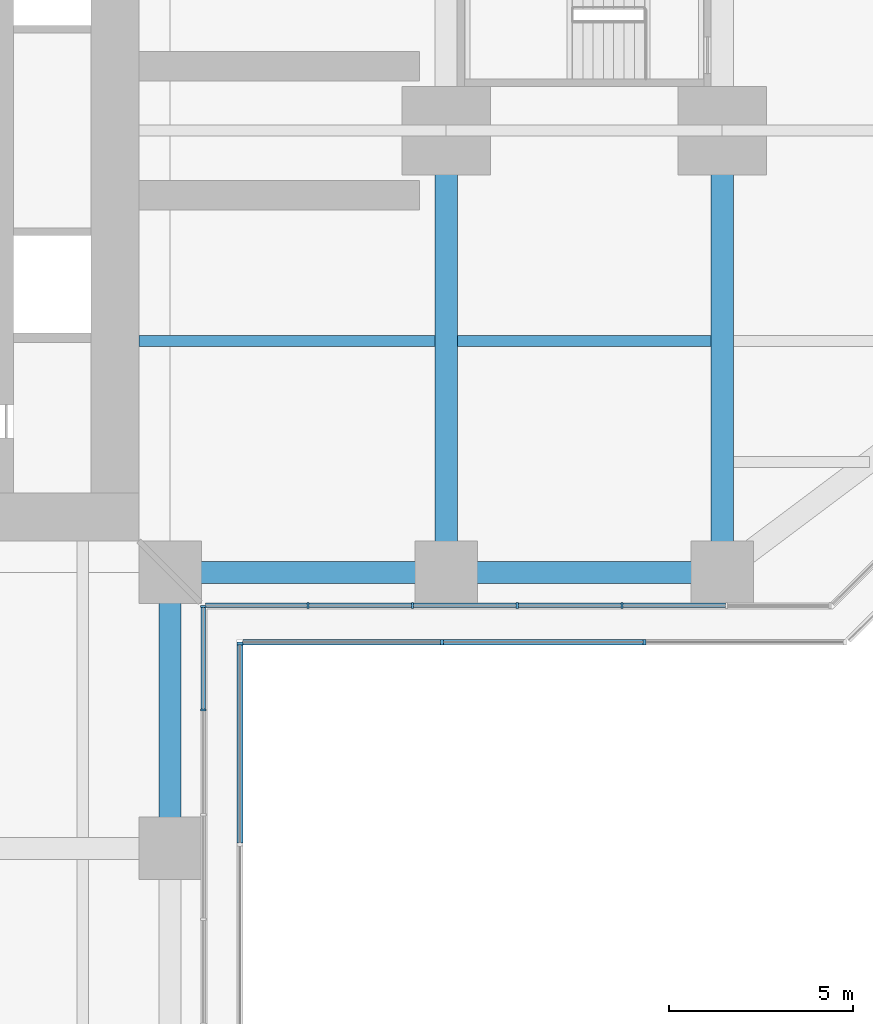
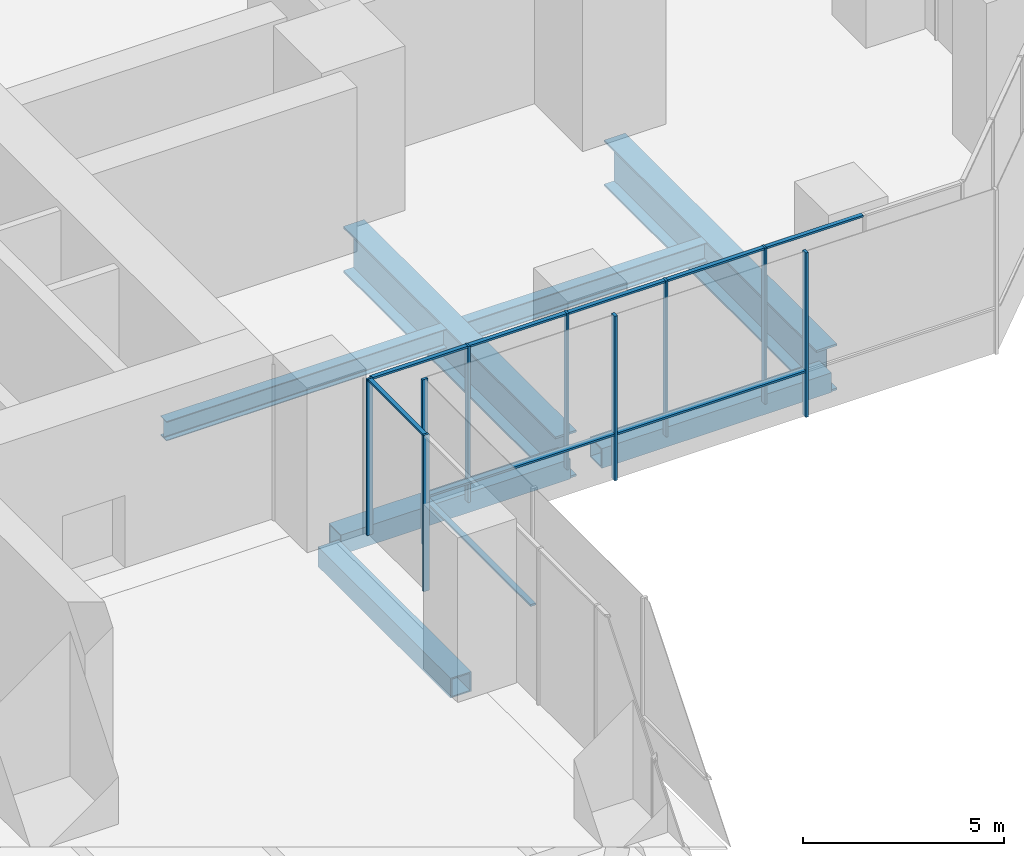
# One storey, part 6 of 23: 18 members, 7 beams, 4 elements without a shape of their own.
"""IFC4 building model written with IfcOpenShell, lengths in metres."""

from ifc_helpers import new_model, si_unit, direction, frame, origin, origin_2d, place, context, subcontext, project, spatial, rectangle, hollow_rectangle, i_section, extrude, material, material_profile, profile_set, type_object, element, aggregate, save


model = new_model("IFC4")

# Units and contexts
model_context = context("Model", 3, precision=1e-05, world=origin(), true_north=direction((0.0, 1.0)))
body_context = subcontext(model_context, "Body", "Model", "MODEL_VIEW")
ifc_project = project(units=[si_unit("LENGTHUNIT", "METRE"), si_unit("AREAUNIT", "SQUARE_METRE"), si_unit("VOLUMEUNIT", "CUBIC_METRE"), si_unit("PLANEANGLEUNIT", "RADIAN"), si_unit("MASSUNIT", "GRAM", prefix="KILO")], contexts=[model_context])

# Site, building, storey
site_placement = place(None, origin())
site = spatial("IfcSite", under=ifc_project, at=site_placement, CompositionType="ELEMENT")
building_placement = place(site_placement, origin())
building = spatial("IfcBuilding", under=site, at=building_placement, Name="Mizan Broadcast Tower", CompositionType="ELEMENT")
storey_placement = place(building_placement, frame((0.0, 0.0, 28.0)))
storey = spatial("IfcBuildingStorey", under=building, at=storey_placement, Name="L04", CompositionType="ELEMENT", Elevation=28.0)

# Beams
ifc_material_1 = material(Name="Steel S355", Category="steel")
ifc_material_profile_1 = material_profile(ifc_material_1, hollow_rectangle(XDim=0.60009765625, YDim=0.60009765625, WallThickness=0.0400390625, at=origin_2d()), Name="BOX 600x600x40")
ifc_profile_set_1 = profile_set([ifc_material_profile_1], Name="Steel S355")
beam_type_1 = type_object("IfcBeamType", Name="EDGE BEAM BOX 600x600x40", PredefinedType="SPANDREL", material=ifc_profile_set_1)
for number, where, z_axis, x_axis, name in (
    (1, (12.449951171875, -12.0, -0.550048828125), (1.0, 0.0, 0.0), (0.0, 1.0, 0.0), "Edge beam BOX 600x600x40 L04 east arm"),
    (2, (19.949951171875, -12.0, -0.550048828125), (1.0, 0.0, 0.0), (0.0, 1.0, 0.0), "Edge beam BOX 600x600x40 L04 east arm"),
    (3, (12.0, -12.449951171875, -0.550048828125), (0.0, -1.0, 0.0), (1.0, 0.0, 0.0), "Edge beam BOX 600x600x40 L04 south arm"),
):
    element("IfcBeam", number, at=place(storey_placement, frame(where, z_axis=z_axis, x_axis=x_axis)), inside=storey, type_object=beam_type_1, Name=name, PredefinedType="SPANDREL", context=body_context, shape_type="SweptSolid", body=[
        extrude(hollow_rectangle(XDim=0.60009765625, YDim=0.60009765625, WallThickness=0.0400390625, at=origin_2d()), origin(), (0.0, 0.0, 1.0), 6.60009765625),
    ])
ifc_material_2 = material(Name="Steel S460", Category="steel")
ifc_material_profile_2 = material_profile(ifc_material_2, i_section(OverallWidth=0.60009765625, OverallDepth=1.39990234375, WebThickness=0.02490234375, FlangeThickness=0.06005859375, at=origin_2d()), Name="WPG 1400x600")
ifc_profile_set_2 = profile_set([ifc_material_profile_2], Name="Steel S460")
beam_type_2 = type_object("IfcBeamType", Name="GIRDER WPG 1400x600", PredefinedType="BEAM", material=ifc_profile_set_2)
for number, where, z_axis, x_axis, name in (
    (4, (19.5, -11.280029296875, -0.949951171875), (0.0, 1.0, 0.0), (-1.0, 0.0, 0.0), "Girder WPG 1400x600 L04 east arm"),
    (5, (27.0, -11.280029296875, -0.949951171875), (0.0, 1.0, 0.0), (-1.0, 0.0, 0.0), "Girder WPG 1400x600 L04 east arm"),
):
    element("IfcBeam", number, at=place(storey_placement, frame(where, z_axis=z_axis, x_axis=x_axis)), inside=storey, type_object=beam_type_2, Name=name, PredefinedType="BEAM", context=body_context, shape_type="SweptSolid", body=[
        extrude(i_section(OverallWidth=0.60009765625, OverallDepth=1.39990234375, WebThickness=0.02490234375, FlangeThickness=0.06005859375, at=origin_2d()), origin(), (0.0, 0.0, 1.0), 10.56005859375),
    ])

# Curtain wall, members
ifc_material_3 = material(Name="Aluminium framed glazing", Category="aluminium")
curtain_wall_type_1 = type_object("IfcCurtainWallType", Name="PODIUM CURTAIN WALL", PredefinedType="USERDEFINED", material=ifc_material_3)
curtain_wall_1_placement = place(storey_placement, origin())
curtain_wall_1 = element("IfcCurtainWall", 6, at=curtain_wall_1_placement, inside=storey, type_object=curtain_wall_type_1, Name="Podium curtain wall L04 E side", ObjectType="PODIUM CURTAIN WALL", PredefinedType="USERDEFINED")
ifc_material_4 = material(Name="Aluminium, pale anodised", Category="aluminium")
ifc_material_profile_3 = material_profile(ifc_material_4, rectangle(XDim=0.159912109375, YDim=0.06005859375, at=origin_2d()), Name="MULLION 160x60")
ifc_profile_set_3 = profile_set([ifc_material_profile_3], Name="Aluminium, pale anodised")
member_type_1 = type_object("IfcMemberType", Name="INNER SKIN MULLION 60x160", PredefinedType="MULLION", material=ifc_profile_set_3)
member_1_placement = place(storey_placement, frame((15.7431640625, -12.89990234375, 0.0), z_axis=(0.0, 0.0, 1.0), x_axis=(0.0, 1.0, 0.0)))
member_1 = element("IfcMember", 7, at=member_1_placement, type_object=member_type_1, Name="Podium curtain wall L04 E side mullion 2", PredefinedType="MULLION", context=body_context, shape_type="SweptSolid", body=[
    extrude(rectangle(XDim=0.159912109375, YDim=0.06005859375, at=origin_2d()), origin(), (0.0, 0.0, 1.0), 4.75),
])
member_2_placement = place(storey_placement, frame((18.586181640625, -12.89990234375, 0.0), z_axis=(0.0, 0.0, 1.0), x_axis=(0.0, 1.0, 0.0)))
member_2 = element("IfcMember", 8, at=member_2_placement, type_object=member_type_1, Name="Podium curtain wall L04 E side mullion 3", PredefinedType="MULLION", context=body_context, shape_type="SweptSolid", body=[
    extrude(rectangle(XDim=0.159912109375, YDim=0.06005859375, at=origin_2d()), origin(), (0.0, 0.0, 1.0), 4.75),
])
member_3_placement = place(storey_placement, frame((21.42919921875, -12.89990234375, 0.0), z_axis=(0.0, 0.0, 1.0), x_axis=(0.0, 1.0, 0.0)))
member_3 = element("IfcMember", 9, at=member_3_placement, type_object=member_type_1, Name="Podium curtain wall L04 E side mullion 4", PredefinedType="MULLION", context=body_context, shape_type="SweptSolid", body=[
    extrude(rectangle(XDim=0.159912109375, YDim=0.06005859375, at=origin_2d()), origin(), (0.0, 0.0, 1.0), 4.75),
])
member_4_placement = place(storey_placement, frame((24.2724609375, -12.89990234375, 0.0), z_axis=(0.0, 0.0, 1.0), x_axis=(0.0, 1.0, 0.0)))
member_4 = element("IfcMember", 10, at=member_4_placement, type_object=member_type_1, Name="Podium curtain wall L04 E side mullion 5", PredefinedType="MULLION", context=body_context, shape_type="SweptSolid", body=[
    extrude(rectangle(XDim=0.159912109375, YDim=0.06005859375, at=origin_2d()), origin(), (0.0, 0.0, 1.0), 4.75),
])

curtain_wall_2_placement = place(storey_placement, origin())
curtain_wall_2 = element("IfcCurtainWall", 11, at=curtain_wall_2_placement, inside=storey, type_object=curtain_wall_type_1, Name="Podium curtain wall L04 S side", ObjectType="PODIUM CURTAIN WALL", PredefinedType="USERDEFINED")
member_5_placement = place(storey_placement, frame((12.89990234375, -15.7431640625, 0.0), z_axis=(0.0, 0.0, 1.0), x_axis=(-1.0, 0.0, 0.0)))
member_5 = element("IfcMember", 12, at=member_5_placement, type_object=member_type_1, Name="Podium curtain wall L04 S side mullion 6", PredefinedType="MULLION", context=body_context, shape_type="SweptSolid", body=[
    extrude(rectangle(XDim=0.159912109375, YDim=0.06005859375, at=origin_2d()), origin(), (0.0, 0.0, 1.0), 4.75),
])
member_6_placement = place(storey_placement, frame((12.89990234375, -12.929931640625, 0.0), z_axis=(0.0, 0.0, 1.0), x_axis=(-1.0, 0.0, 0.0)))
member_6 = element("IfcMember", 13, at=member_6_placement, type_object=member_type_1, Name="Podium curtain wall L04 S side mullion 7", PredefinedType="MULLION", context=body_context, shape_type="SweptSolid", body=[
    extrude(rectangle(XDim=0.159912109375, YDim=0.06005859375, at=origin_2d()), origin(), (0.0, 0.0, 1.0), 4.75),
])

# Member
ifc_material_5 = material(Name="Aluminium, pale anodised", Category="aluminium")
ifc_material_profile_4 = material_profile(ifc_material_5, rectangle(XDim=0.1201171875, YDim=0.06005859375, at=origin_2d()), Name="TRANSOM 120x60")
ifc_profile_set_4 = profile_set([ifc_material_profile_4], Name="Aluminium, pale anodised")
member_type_2 = type_object("IfcMemberType", Name="INNER SKIN TRANSOM 60x120", PredefinedType="USERDEFINED", material=ifc_profile_set_4)
member_7_placement = place(storey_placement, frame((12.9599609375, -12.89990234375, 4.719970703125), z_axis=(1.0, 0.0, 0.0), x_axis=(0.0, 1.0, 0.0)))
member_7 = element("IfcMember", 14, at=member_7_placement, type_object=member_type_2, Name="Podium curtain wall L04 E side transom 1.1", ObjectType="TRANSOM", PredefinedType="USERDEFINED", context=body_context, shape_type="SweptSolid", body=[
    extrude(rectangle(XDim=0.1201171875, YDim=0.06005859375, at=origin_2d()), origin(), (0.0, 0.0, 1.0), 2.753173828125),
])

member_8_placement = place(storey_placement, frame((15.773193359375, -12.89990234375, 4.719970703125), z_axis=(1.0, 0.0, 0.0), x_axis=(0.0, 1.0, 0.0)))
member_8 = element("IfcMember", 15, at=member_8_placement, type_object=member_type_2, Name="Podium curtain wall L04 E side transom 2.1", ObjectType="TRANSOM", PredefinedType="USERDEFINED", context=body_context, shape_type="SweptSolid", body=[
    extrude(rectangle(XDim=0.1201171875, YDim=0.06005859375, at=origin_2d()), origin(), (0.0, 0.0, 1.0), 2.782958984375),
])

member_9_placement = place(storey_placement, frame((18.6162109375, -12.89990234375, 4.719970703125), z_axis=(1.0, 0.0, 0.0), x_axis=(0.0, 1.0, 0.0)))
member_9 = element("IfcMember", 16, at=member_9_placement, type_object=member_type_2, Name="Podium curtain wall L04 E side transom 3.1", ObjectType="TRANSOM", PredefinedType="USERDEFINED", context=body_context, shape_type="SweptSolid", body=[
    extrude(rectangle(XDim=0.1201171875, YDim=0.06005859375, at=origin_2d()), origin(), (0.0, 0.0, 1.0), 2.782958984375),
])

member_10_placement = place(storey_placement, frame((21.459228515625, -12.89990234375, 4.719970703125), z_axis=(1.0, 0.0, 0.0), x_axis=(0.0, 1.0, 0.0)))
member_10 = element("IfcMember", 17, at=member_10_placement, type_object=member_type_2, Name="Podium curtain wall L04 E side transom 4.1", ObjectType="TRANSOM", PredefinedType="USERDEFINED", context=body_context, shape_type="SweptSolid", body=[
    extrude(rectangle(XDim=0.1201171875, YDim=0.06005859375, at=origin_2d()), origin(), (0.0, 0.0, 1.0), 2.783203125),
])

member_11_placement = place(storey_placement, frame((24.302490234375, -12.89990234375, 4.719970703125), z_axis=(1.0, 0.0, 0.0), x_axis=(0.0, 1.0, 0.0)))
member_11 = element("IfcMember", 18, at=member_11_placement, type_object=member_type_2, Name="Podium curtain wall L04 E side transom 5.1", ObjectType="TRANSOM", PredefinedType="USERDEFINED", context=body_context, shape_type="SweptSolid", body=[
    extrude(rectangle(XDim=0.1201171875, YDim=0.06005859375, at=origin_2d()), origin(), (0.0, 0.0, 1.0), 2.782958984375),
])

aggregate(curtain_wall_1, [member_1, member_2, member_3, member_4, member_7, member_8, member_9, member_10, member_11])

member_12_placement = place(storey_placement, frame((12.89990234375, -15.713134765625, 4.719970703125), z_axis=(0.0, 1.0, 0.0), x_axis=(-1.0, 0.0, 0.0)))
member_12 = element("IfcMember", 19, at=member_12_placement, type_object=member_type_2, Name="Podium curtain wall L04 S side transom 6.1", ObjectType="TRANSOM", PredefinedType="USERDEFINED", context=body_context, shape_type="SweptSolid", body=[
    extrude(rectangle(XDim=0.1201171875, YDim=0.06005859375, at=origin_2d()), origin(), (0.0, 0.0, 1.0), 2.753173828125),
])

aggregate(curtain_wall_2, [member_5, member_6, member_12])

# Curtain wall, members
ifc_material_6 = material(Name="Aluminium framed glazing", Category="aluminium")
curtain_wall_type_2 = type_object("IfcCurtainWallType", Name="OUTER SKIN", PredefinedType="USERDEFINED", material=ifc_material_6)
curtain_wall_3_placement = place(storey_placement, origin())
curtain_wall_3 = element("IfcCurtainWall", 20, at=curtain_wall_3_placement, inside=storey, type_object=curtain_wall_type_2, Name="Outer skin L04 E side", ObjectType="OUTER SKIN", PredefinedType="USERDEFINED")
ifc_material_7 = material(Name="Aluminium, pale anodised", Category="aluminium")
ifc_material_profile_5 = material_profile(ifc_material_7, rectangle(XDim=0.159912109375, YDim=0.080078125, at=origin_2d()), Name="MULLION 160x80")
ifc_profile_set_5 = profile_set([ifc_material_profile_5], Name="Aluminium, pale anodised")
member_type_3 = type_object("IfcMemberType", Name="OUTER SKIN MULLION 80x160", PredefinedType="MULLION", material=ifc_profile_set_5)
member_13_placement = place(storey_placement, frame((19.390869140625, -13.89990234375, 0.0), z_axis=(0.0, 0.0, 1.0), x_axis=(0.0, 1.0, 0.0)))
member_13 = element("IfcMember", 21, at=member_13_placement, type_object=member_type_3, Name="Outer skin L04 E side mullion 2", PredefinedType="MULLION", context=body_context, shape_type="SweptSolid", body=[
    extrude(rectangle(XDim=0.159912109375, YDim=0.080078125, at=origin_2d()), origin(), (0.0, 0.0, 1.0), 5.0),
])
member_14_placement = place(storey_placement, frame((24.8818359375, -13.89990234375, 0.0), z_axis=(0.0, 0.0, 1.0), x_axis=(0.0, 1.0, 0.0)))
member_14 = element("IfcMember", 22, at=member_14_placement, type_object=member_type_3, Name="Outer skin L04 E side mullion 3", PredefinedType="MULLION", context=body_context, shape_type="SweptSolid", body=[
    extrude(rectangle(XDim=0.159912109375, YDim=0.080078125, at=origin_2d()), origin(), (0.0, 0.0, 1.0), 5.0),
])

# Curtain wall, member
curtain_wall_4_placement = place(storey_placement, origin())
curtain_wall_4 = element("IfcCurtainWall", 23, at=curtain_wall_4_placement, inside=storey, type_object=curtain_wall_type_2, Name="Outer skin L04 S side", ObjectType="OUTER SKIN", PredefinedType="USERDEFINED")
member_15_placement = place(storey_placement, frame((13.89990234375, -13.93994140625, 0.0), z_axis=(0.0, 0.0, 1.0), x_axis=(-1.0, 0.0, 0.0)))
member_15 = element("IfcMember", 24, at=member_15_placement, type_object=member_type_3, Name="Outer skin L04 S side mullion 4", PredefinedType="MULLION", context=body_context, shape_type="SweptSolid", body=[
    extrude(rectangle(XDim=0.159912109375, YDim=0.080078125, at=origin_2d()), origin(), (0.0, 0.0, 1.0), 5.0),
])

# Member
ifc_material_8 = material(Name="Aluminium, pale anodised", Category="aluminium")
ifc_material_profile_6 = material_profile(ifc_material_8, rectangle(XDim=0.159912109375, YDim=0.06005859375, at=origin_2d()), Name="TRANSOM 160x60")
ifc_profile_set_6 = profile_set([ifc_material_profile_6], Name="Aluminium, pale anodised")
member_type_4 = type_object("IfcMemberType", Name="OUTER SKIN TRANSOM 60x160", PredefinedType="USERDEFINED", material=ifc_profile_set_6)
member_16_placement = place(storey_placement, frame((13.97998046875, -13.89990234375, 1.39990234375), z_axis=(1.0, 0.0, 0.0), x_axis=(0.0, 1.0, 0.0)))
member_16 = element("IfcMember", 25, at=member_16_placement, type_object=member_type_4, Name="Outer skin L04 E side transom 1.1", ObjectType="TRANSOM", PredefinedType="USERDEFINED", context=body_context, shape_type="SweptSolid", body=[
    extrude(rectangle(XDim=0.159912109375, YDim=0.06005859375, at=origin_2d()), origin(), (0.0, 0.0, 1.0), 5.370849609375),
])

member_17_placement = place(storey_placement, frame((19.430908203125, -13.89990234375, 1.39990234375), z_axis=(1.0, 0.0, 0.0), x_axis=(0.0, 1.0, 0.0)))
member_17 = element("IfcMember", 26, at=member_17_placement, type_object=member_type_4, Name="Outer skin L04 E side transom 2.1", ObjectType="TRANSOM", PredefinedType="USERDEFINED", context=body_context, shape_type="SweptSolid", body=[
    extrude(rectangle(XDim=0.159912109375, YDim=0.06005859375, at=origin_2d()), origin(), (0.0, 0.0, 1.0), 5.410888671875),
])

aggregate(curtain_wall_3, [member_13, member_14, member_16, member_17])

member_18_placement = place(storey_placement, frame((13.89990234375, -19.350830078125, 1.39990234375), z_axis=(0.0, 1.0, 0.0), x_axis=(-1.0, 0.0, 0.0)))
member_18 = element("IfcMember", 27, at=member_18_placement, type_object=member_type_4, Name="Outer skin L04 S side transom 3.1", ObjectType="TRANSOM", PredefinedType="USERDEFINED", context=body_context, shape_type="SweptSolid", body=[
    extrude(rectangle(XDim=0.159912109375, YDim=0.06005859375, at=origin_2d()), origin(), (0.0, 0.0, 1.0), 5.370849609375),
])

aggregate(curtain_wall_4, [member_15, member_18])

# Beams
ifc_material_9 = material(Name="Steel S355", Category="steel")
ifc_material_profile_7 = material_profile(ifc_material_9, i_section(OverallWidth=0.300048828125, OverallDepth=0.590087890625, WebThickness=0.012939453125, FlangeThickness=0.02490234375, FilletRadius=0.027099609375, at=origin_2d()), Name="HEA 600")
ifc_profile_set_7 = profile_set([ifc_material_profile_7], Name="Steel S355")
beam_type_3 = type_object("IfcBeamType", Name="SECONDARY BEAM HEA 600", PredefinedType="JOIST", material=ifc_profile_set_7)
beam_1_placement = place(storey_placement, frame((11.14990234375, -5.71435546875, -0.544921875), z_axis=(1.0, 0.0, 0.0), x_axis=(0.0, 1.0, 0.0)))
element("IfcBeam", 28, at=beam_1_placement, inside=storey, type_object=beam_type_3, Name="Secondary beam HEA 600 L04 east arm", PredefinedType="JOIST", context=body_context, shape_type="SweptSolid", body=[
    extrude(i_section(OverallWidth=0.300048828125, OverallDepth=0.590087890625, WebThickness=0.012939453125, FlangeThickness=0.02490234375, FilletRadius=0.027099609375, at=origin_2d()), origin(), (0.0, 0.0, 1.0), 8.050048828125),
])
beam_2_placement = place(storey_placement, frame((19.800048828125, -5.71435546875, -0.544921875), z_axis=(1.0, 0.0, 0.0), x_axis=(0.0, 1.0, 0.0)))
element("IfcBeam", 29, at=beam_2_placement, inside=storey, type_object=beam_type_3, Name="Secondary beam HEA 600 L04 east arm", PredefinedType="JOIST", context=body_context, shape_type="SweptSolid", body=[
    extrude(i_section(OverallWidth=0.300048828125, OverallDepth=0.590087890625, WebThickness=0.012939453125, FlangeThickness=0.02490234375, FilletRadius=0.027099609375, at=origin_2d()), origin(), (0.0, 0.0, 1.0), 6.89990234375),
])

save(model, "model.ifc")
